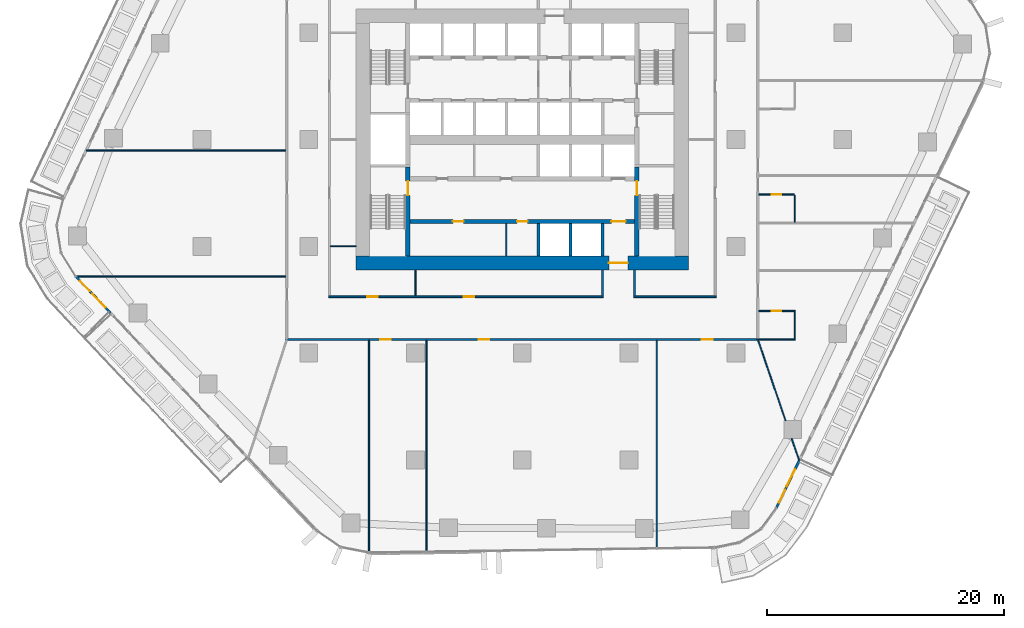
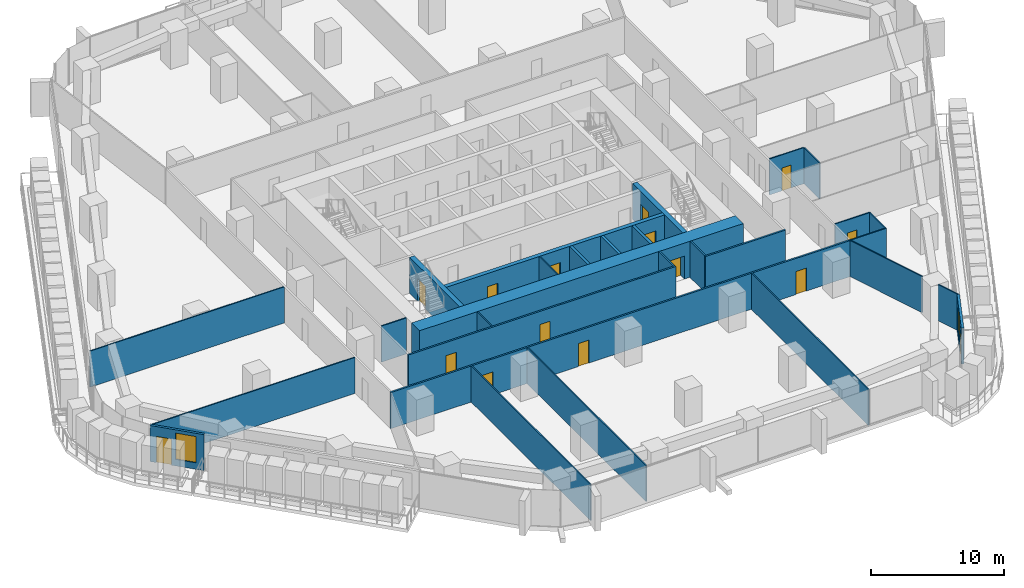
# One storey, part 12 of 24: 29 walls, 15 doors, 2 windows, 17 openings.
"""IFC4 building model written with IfcOpenShell, lengths in metres."""

from ifc_helpers import new_model, si_unit, direction, frame, frame_2d, origin, place, context, subcontext, project, spatial, rectangle, extrude, material, layer, layer_set, type_object, element, fill, save


model = new_model("IFC4")

# Units and contexts
model_context = context("Model", 3, precision=1e-05, world=origin(), true_north=direction((0.0, 1.0)))
body_context = subcontext(model_context, "Body", "Model", "MODEL_VIEW")
ifc_project = project(units=[si_unit("LENGTHUNIT", "METRE"), si_unit("AREAUNIT", "SQUARE_METRE"), si_unit("VOLUMEUNIT", "CUBIC_METRE"), si_unit("PLANEANGLEUNIT", "RADIAN"), si_unit("MASSUNIT", "GRAM", prefix="KILO")], contexts=[model_context])

# Site, building, storey
site_placement = place(None, origin())
site = spatial("IfcSite", under=ifc_project, at=site_placement, CompositionType="ELEMENT")
building_placement = place(site_placement, origin())
building = spatial("IfcBuilding", under=site, at=building_placement, Name="Dongbaek Canopy Tower", CompositionType="ELEMENT")
storey_placement = place(building_placement, frame((0.0, 0.0, 47.699951171875)))
storey = spatial("IfcBuildingStorey", under=building, at=storey_placement, Name="L07", CompositionType="ELEMENT", Elevation=47.699951171875)

# Wall, openings, doors
ifc_material_1 = material(Name="Concrete C60/75", Category="concrete")
ifc_layer_1 = layer(ifc_material_1, 0.35009765625)
ifc_layer_set_1 = layer_set([ifc_layer_1], Name="Core lobby wall 350 Concrete C60/75")
wall_type_1 = type_object("IfcWallType", Name="Core lobby wall 350 Concrete C60/75", PredefinedType="SHEAR", material=ifc_layer_set_1)
wall_1_placement = place(storey_placement, frame((9.449951171875, -6.89990234375, 0.0), z_axis=(0.0, 0.0, 1.0), x_axis=(-1.0, 0.0, 0.0)))
wall_1 = element("IfcWall", 1, at=wall_1_placement, inside=storey, type_object=wall_type_1, Name="Core wall", PredefinedType="SHEAR", context=body_context, shape_type="SweptSolid", body=[
    extrude(rectangle(XDim=18.89990234375, YDim=0.35009765625, at=frame_2d((9.449951171875, 0.0))), origin(), (0.0, 0.0, 1.0), 3.300048828125),
])
opening_1_placement = place(wall_1_placement, frame((0.75, 0.0, 0.0)))
opening_1 = element("IfcOpeningElement", 2, at=opening_1_placement, cuts=wall_1, Name="Opening L07-D045", PredefinedType="OPENING", context=body_context, shape_type="SweptSolid", body=[
    extrude(rectangle(XDim=1.199951171875, YDim=2.10009765625, at=frame_2d((0.60009765625, 1.050048828125))), frame((0.0, 0.18505859375, 0.0), z_axis=(0.0, -1.0, 0.0), x_axis=(1.0, 0.0, 0.0)), (0.0, 0.0, 1.0), 0.3701171875),
])
opening_2_placement = place(wall_1_placement, frame((14.39990234375, 0.0, 0.0)))
opening_2 = element("IfcOpeningElement", 3, at=opening_2_placement, cuts=wall_1, Name="Opening L07-D048", PredefinedType="OPENING", context=body_context, shape_type="SweptSolid", body=[
    extrude(rectangle(XDim=0.89990234375, YDim=2.10009765625, at=frame_2d((0.449951171875, 1.050048828125))), frame((0.0, 0.18505859375, 0.0), z_axis=(0.0, -1.0, 0.0), x_axis=(1.0, 0.0, 0.0)), (0.0, 0.0, 1.0), 0.3701171875),
])
opening_3_placement = place(wall_1_placement, frame((9.0, 0.0, 0.0)))
opening_3 = element("IfcOpeningElement", 4, at=opening_3_placement, cuts=wall_1, Name="Opening L07-D049", PredefinedType="OPENING", context=body_context, shape_type="SweptSolid", body=[
    extrude(rectangle(XDim=0.89990234375, YDim=2.10009765625, at=frame_2d((0.449951171875, 1.050048828125))), frame((0.0, 0.18505859375, 0.0), z_axis=(0.0, -1.0, 0.0), x_axis=(1.0, 0.0, 0.0)), (0.0, 0.0, 1.0), 0.3701171875),
])
ifc_material_2 = material(Name="Steel", Category="steel")
door_type_1 = type_object("IfcDoorType", Name="Core room door 900 x 2100", OperationType="SINGLE_SWING_LEFT", PredefinedType="DOOR", material=ifc_material_2)
door_1_placement = place(opening_2_placement, origin())
door_1 = element("IfcDoor", 5, at=door_1_placement, inside=storey, type_object=door_type_1, Name="Door L07-D048", OperationType="SINGLE_SWING_RIGHT", OverallHeight=2.10009765625, OverallWidth=0.89990234375, PredefinedType="DOOR", context=body_context, shape_type="SweptSolid", body=[
    extrude(rectangle(XDim=0.89990234375, YDim=2.10009765625, at=frame_2d((0.449951171875, 1.050048828125))), frame((0.0, 0.02490234375, 0.0), z_axis=(0.0, -1.0, 0.0), x_axis=(1.0, 0.0, 0.0)), (0.0, 0.0, 1.0), 0.050048828125),
])
fill(opening_2, door_1)
door_2_placement = place(opening_3_placement, origin())
door_2 = element("IfcDoor", 6, at=door_2_placement, inside=storey, type_object=door_type_1, Name="Door L07-D049", OperationType="SINGLE_SWING_LEFT", OverallHeight=2.10009765625, OverallWidth=0.89990234375, PredefinedType="DOOR", context=body_context, shape_type="SweptSolid", body=[
    extrude(rectangle(XDim=0.89990234375, YDim=2.10009765625, at=frame_2d((0.449951171875, 1.050048828125))), frame((0.0, 0.02490234375, 0.0), z_axis=(0.0, -1.0, 0.0), x_axis=(1.0, 0.0, 0.0)), (0.0, 0.0, 1.0), 0.050048828125),
])
fill(opening_3, door_2)
ifc_material_3 = material(Name="Steel", Category="steel")
door_type_2 = type_object("IfcDoorType", Name="Fire lobby door 1200 x 2100", OperationType="SINGLE_SWING_LEFT", PredefinedType="DOOR", material=ifc_material_3)
door_3_placement = place(opening_1_placement, origin())
door_3 = element("IfcDoor", 7, at=door_3_placement, inside=storey, type_object=door_type_2, Name="Door L07-D045", OperationType="SINGLE_SWING_LEFT", OverallHeight=2.10009765625, OverallWidth=1.199951171875, PredefinedType="DOOR", context=body_context, shape_type="SweptSolid", body=[
    extrude(rectangle(XDim=1.199951171875, YDim=2.10009765625, at=frame_2d((0.60009765625, 1.050048828125))), frame((0.0, 0.02490234375, 0.0), z_axis=(0.0, -1.0, 0.0), x_axis=(1.0, 0.0, 0.0)), (0.0, 0.0, 1.0), 0.050048828125),
])
fill(opening_1, door_3)

# Wall, opening, door
ifc_material_4 = material(Name="Concrete C60/75", Category="concrete")
ifc_layer_2 = layer(ifc_material_4, 1.199951171875)
ifc_layer_set_2 = layer_set([ifc_layer_2], Name="Core outer wall 1200 Concrete C60/75")
wall_type_2 = type_object("IfcWallType", Name="Core outer wall 1200 Concrete C60/75", PredefinedType="SHEAR", material=ifc_layer_set_2)
wall_2_placement = place(storey_placement, frame((14.0, -10.39990234375, 0.0), z_axis=(0.0, 0.0, 1.0), x_axis=(-1.0, 0.0, 0.0)))
wall_2 = element("IfcWall", 8, at=wall_2_placement, inside=storey, type_object=wall_type_2, Name="Core wall", PredefinedType="SHEAR", context=body_context, shape_type="SweptSolid", body=[
    extrude(rectangle(XDim=28.0, YDim=1.199951171875, at=frame_2d((14.0, 0.0))), origin(), (0.0, 0.0, 1.0), 3.300048828125),
])
opening_4_placement = place(wall_2_placement, frame((5.10009765625, 0.0, 0.0)))
opening_4 = element("IfcOpeningElement", 9, at=opening_4_placement, cuts=wall_2, Name="Opening L07-D044", PredefinedType="OPENING", context=body_context, shape_type="SweptSolid", body=[
    extrude(rectangle(XDim=1.60009765625, YDim=2.10009765625, at=frame_2d((0.800048828125, 1.050048828125))), frame((0.0, 0.60986328125, 0.0), z_axis=(0.0, -1.0, 0.0), x_axis=(1.0, 0.0, 0.0)), (0.0, 0.0, 1.0), 1.219970703125),
])
ifc_material_5 = material(Name="Steel", Category="steel")
door_type_3 = type_object("IfcDoorType", Name="Core exit door 1600 x 2100", OperationType="DOUBLE_DOOR_SINGLE_SWING", PredefinedType="DOOR", material=ifc_material_5)
door_4_placement = place(opening_4_placement, origin())
door_4 = element("IfcDoor", 10, at=door_4_placement, inside=storey, type_object=door_type_3, Name="Core exit door", OperationType="DOUBLE_DOOR_SINGLE_SWING", OverallHeight=2.10009765625, OverallWidth=1.60009765625, PredefinedType="DOOR", context=body_context, shape_type="SweptSolid", body=[
    extrude(rectangle(XDim=1.60009765625, YDim=2.10009765625, at=frame_2d((0.800048828125, 1.050048828125))), frame((0.0, 0.02490234375, 0.0), z_axis=(0.0, -1.0, 0.0), x_axis=(1.0, 0.0, 0.0)), (0.0, 0.0, 1.0), 0.050048828125),
])
fill(opening_4, door_4)

# Wall, openings, doors
ifc_material_6 = material(Name="Gypsum board partition, steel stud, 2 x 15 mm fire board", Category="steel")
ifc_layer_3 = layer(ifc_material_6, 0.14990234375)
ifc_layer_set_3 = layer_set([ifc_layer_3], Name="Fire-rated partition 150 gypsum board")
wall_type_3 = type_object("IfcWallType", Name="Fire-rated partition 150 gypsum board", PredefinedType="PARTITIONING", material=ifc_layer_set_3)
wall_3_placement = place(storey_placement, frame((19.925048828125, -16.85009765625, 0.0), z_axis=(0.0, 0.0, 1.0), x_axis=(-1.0, 0.0, 0.0)))
wall_3 = element("IfcWall", 11, at=wall_3_placement, inside=storey, type_object=wall_type_3, Name="Corridor partition", PredefinedType="PARTITIONING", context=body_context, shape_type="SweptSolid", body=[
    extrude(rectangle(XDim=39.85009765625, YDim=0.14990234375, at=frame_2d((19.925048828125, 0.0))), origin(), (0.0, 0.0, 1.0), 3.300048828125),
])
opening_5_placement = place(wall_3_placement, frame((31.00830078125, 0.0, 0.0)))
opening_5 = element("IfcOpeningElement", 12, at=opening_5_placement, cuts=wall_3, Name="Opening L07-D003", PredefinedType="OPENING", context=body_context, shape_type="SweptSolid", body=[
    extrude(rectangle(XDim=0.89990234375, YDim=2.10009765625, at=frame_2d((0.449951171875, 1.050048828125))), frame((0.0, 0.0849609375, 0.0), z_axis=(0.0, -1.0, 0.0), x_axis=(1.0, 0.0, 0.0)), (0.0, 0.0, 1.0), 0.169921875),
])
opening_6_placement = place(wall_3_placement, frame((22.7041015625, 0.0, 0.0)))
opening_6 = element("IfcOpeningElement", 13, at=opening_6_placement, cuts=wall_3, Name="Opening L07-D004", PredefinedType="OPENING", context=body_context, shape_type="SweptSolid", body=[
    extrude(rectangle(XDim=0.89990234375, YDim=2.10009765625, at=frame_2d((0.449951171875, 1.050048828125))), frame((0.0, 0.0849609375, 0.0), z_axis=(0.0, -1.0, 0.0), x_axis=(1.0, 0.0, 0.0)), (0.0, 0.0, 1.0), 0.169921875),
])
opening_7_placement = place(wall_3_placement, frame((3.8876953125, 0.0, 0.0)))
opening_7 = element("IfcOpeningElement", 14, at=opening_7_placement, cuts=wall_3, Name="Opening L07-D005", PredefinedType="OPENING", context=body_context, shape_type="SweptSolid", body=[
    extrude(rectangle(XDim=0.89990234375, YDim=2.10009765625, at=frame_2d((0.449951171875, 1.050048828125))), frame((0.0, 0.0849609375, 0.0), z_axis=(0.0, -1.0, 0.0), x_axis=(1.0, 0.0, 0.0)), (0.0, 0.0, 1.0), 0.169921875),
])
ifc_material_7 = material(Name="Timber veneered door leaf", Category="wood")
door_type_4 = type_object("IfcDoorType", Name="Room door 900 x 2100", OperationType="SINGLE_SWING_LEFT", PredefinedType="DOOR", material=ifc_material_7)
door_5_placement = place(opening_5_placement, origin())
door_5 = element("IfcDoor", 15, at=door_5_placement, inside=storey, type_object=door_type_4, Name="Door L07-D003", OperationType="SINGLE_SWING_LEFT", OverallHeight=2.10009765625, OverallWidth=0.89990234375, PredefinedType="DOOR", context=body_context, shape_type="SweptSolid", body=[
    extrude(rectangle(XDim=0.89990234375, YDim=2.10009765625, at=frame_2d((0.449951171875, 1.050048828125))), frame((0.0, 0.02490234375, 0.0), z_axis=(0.0, -1.0, 0.0), x_axis=(1.0, 0.0, 0.0)), (0.0, 0.0, 1.0), 0.050048828125),
])
fill(opening_5, door_5)
door_6_placement = place(opening_6_placement, origin())
door_6 = element("IfcDoor", 16, at=door_6_placement, inside=storey, type_object=door_type_4, Name="Door L07-D004", OperationType="SINGLE_SWING_RIGHT", OverallHeight=2.10009765625, OverallWidth=0.89990234375, PredefinedType="DOOR", context=body_context, shape_type="SweptSolid", body=[
    extrude(rectangle(XDim=0.89990234375, YDim=2.10009765625, at=frame_2d((0.449951171875, 1.050048828125))), frame((0.0, 0.02490234375, 0.0), z_axis=(0.0, -1.0, 0.0), x_axis=(1.0, 0.0, 0.0)), (0.0, 0.0, 1.0), 0.050048828125),
])
fill(opening_6, door_6)
door_7_placement = place(opening_7_placement, origin())
door_7 = element("IfcDoor", 17, at=door_7_placement, inside=storey, type_object=door_type_4, Name="Door L07-D005", OperationType="SINGLE_SWING_LEFT", OverallHeight=2.10009765625, OverallWidth=0.89990234375, PredefinedType="DOOR", context=body_context, shape_type="SweptSolid", body=[
    extrude(rectangle(XDim=0.89990234375, YDim=2.10009765625, at=frame_2d((0.449951171875, 1.050048828125))), frame((0.0, 0.02490234375, 0.0), z_axis=(0.0, -1.0, 0.0), x_axis=(1.0, 0.0, 0.0)), (0.0, 0.0, 1.0), 0.050048828125),
])
fill(opening_7, door_7)

wall_4_placement = place(storey_placement, frame((-16.324951171875, -13.25, 0.0), z_axis=(0.0, 0.0, 1.0), x_axis=(1.0, 0.0, 0.0)))
wall_4 = element("IfcWall", 18, at=wall_4_placement, inside=storey, type_object=wall_type_3, Name="Corridor partition", PredefinedType="PARTITIONING", context=body_context, shape_type="SweptSolid", body=[
    extrude(rectangle(XDim=23.14990234375, YDim=0.14990234375, at=frame_2d((11.574951171875, 0.0))), origin(), (0.0, 0.0, 1.0), 3.300048828125),
])
opening_8_placement = place(wall_4_placement, frame((3.25, 0.0, 0.0)))
opening_8 = element("IfcOpeningElement", 19, at=opening_8_placement, cuts=wall_4, Name="Opening L07-D019", PredefinedType="OPENING", context=body_context, shape_type="SweptSolid", body=[
    extrude(rectangle(XDim=0.89990234375, YDim=2.10009765625, at=frame_2d((0.449951171875, 1.050048828125))), frame((0.0, 0.0849609375, 0.0), z_axis=(0.0, -1.0, 0.0), x_axis=(1.0, 0.0, 0.0)), (0.0, 0.0, 1.0), 0.169921875),
])
opening_9_placement = place(wall_4_placement, frame((11.375, 0.0, 0.0)))
opening_9 = element("IfcOpeningElement", 20, at=opening_9_placement, cuts=wall_4, Name="Opening L07-D020", PredefinedType="OPENING", context=body_context, shape_type="SweptSolid", body=[
    extrude(rectangle(XDim=0.89990234375, YDim=2.10009765625, at=frame_2d((0.449951171875, 1.050048828125))), frame((0.0, 0.0849609375, 0.0), z_axis=(0.0, -1.0, 0.0), x_axis=(1.0, 0.0, 0.0)), (0.0, 0.0, 1.0), 0.169921875),
])
door_8_placement = place(opening_8_placement, origin())
door_8 = element("IfcDoor", 21, at=door_8_placement, inside=storey, type_object=door_type_4, Name="Door L07-D019", OperationType="SINGLE_SWING_LEFT", OverallHeight=2.10009765625, OverallWidth=0.89990234375, PredefinedType="DOOR", context=body_context, shape_type="SweptSolid", body=[
    extrude(rectangle(XDim=0.89990234375, YDim=2.10009765625, at=frame_2d((0.449951171875, 1.050048828125))), frame((0.0, 0.02490234375, 0.0), z_axis=(0.0, -1.0, 0.0), x_axis=(1.0, 0.0, 0.0)), (0.0, 0.0, 1.0), 0.050048828125),
])
fill(opening_8, door_8)
door_9_placement = place(opening_9_placement, origin())
door_9 = element("IfcDoor", 22, at=door_9_placement, inside=storey, type_object=door_type_4, Name="Door L07-D020", OperationType="SINGLE_SWING_RIGHT", OverallHeight=2.10009765625, OverallWidth=0.89990234375, PredefinedType="DOOR", context=body_context, shape_type="SweptSolid", body=[
    extrude(rectangle(XDim=0.89990234375, YDim=2.10009765625, at=frame_2d((0.449951171875, 1.050048828125))), frame((0.0, 0.02490234375, 0.0), z_axis=(0.0, -1.0, 0.0), x_axis=(1.0, 0.0, 0.0)), (0.0, 0.0, 1.0), 0.050048828125),
])
fill(opening_9, door_9)

# Walls
wall_5_placement = place(storey_placement, frame((9.375, -13.25, 0.0), z_axis=(0.0, 0.0, 1.0), x_axis=(1.0, 0.0, 0.0)))
element("IfcWall", 23, at=wall_5_placement, inside=storey, type_object=wall_type_3, Name="Corridor partition", PredefinedType="PARTITIONING", context=body_context, shape_type="SweptSolid", body=[
    extrude(rectangle(XDim=6.949951171875, YDim=0.14990234375, at=frame_2d((3.47509765625, 0.0))), origin(), (0.0, 0.0, 1.0), 3.300048828125),
])
for number, where, z_axis, x_axis, name in (
    (24, (9.449951171875, -13.175048828125, 0.0), (0.0, 0.0, 1.0), (0.0, 1.0, 0.0), "Corridor partition"),
    (25, (6.75, -13.175048828125, 0.0), (0.0, 0.0, 1.0), (0.0, 1.0, 0.0), "Corridor partition"),
):
    element("IfcWall", number, at=place(storey_placement, frame(where, z_axis=z_axis, x_axis=x_axis)), inside=storey, type_object=wall_type_3, Name=name, PredefinedType="PARTITIONING", context=body_context, shape_type="SweptSolid", body=[
        extrude(rectangle(XDim=2.175048828125, YDim=0.14990234375, at=frame_2d((1.08740234375, 0.0))), origin(), (0.0, 0.0, 1.0), 3.300048828125),
    ])
ifc_material_8 = material(Name="Concrete C40/50", Category="concrete")
ifc_layer_4 = layer(ifc_material_8, 0.25)
ifc_layer_set_4 = layer_set([ifc_layer_4], Name="Lift shaft wall 250 Concrete C40/50")
wall_type_4 = type_object("IfcWallType", Name="Lift shaft wall 250 Concrete C40/50", PredefinedType="SOLIDWALL", material=ifc_layer_set_4)
for number, where, z_axis, x_axis, name in (
    (26, (6.75, -9.800048828125, 0.0), (0.0, 0.0, 1.0), (0.0, 1.0, 0.0), "Lift shaft wall"),
    (27, (4.050048828125, -9.800048828125, 0.0), (0.0, 0.0, 1.0), (0.0, 1.0, 0.0), "Lift shaft wall"),
    (28, (1.35009765625, -9.800048828125, 0.0), (0.0, 0.0, 1.0), (0.0, 1.0, 0.0), "Lift shaft wall"),
):
    element("IfcWall", number, at=place(storey_placement, frame(where, z_axis=z_axis, x_axis=x_axis)), inside=storey, type_object=wall_type_4, Name=name, PredefinedType="SOLIDWALL", context=body_context, shape_type="SweptSolid", body=[
        extrude(rectangle(XDim=2.72509765625, YDim=0.25, at=frame_2d((1.362548828125, 0.0))), origin(), (0.0, 0.0, 1.0), 3.300048828125),
    ])
ifc_material_9 = material(Name="Gypsum board partition, steel stud, 2 x 12.5 mm board", Category="steel")
ifc_layer_5 = layer(ifc_material_9, 0.10009765625)
ifc_layer_set_5 = layer_set([ifc_layer_5], Name="Partition 100 gypsum board")
wall_type_5 = type_object("IfcWallType", Name="Partition 100 gypsum board", PredefinedType="PARTITIONING", material=ifc_layer_set_5)
wall_6_placement = place(storey_placement, frame((19.77490234375, -16.85009765625, 0.0), z_axis=(0.0, 0.0, 1.0), x_axis=(1.0, 0.0, 0.0)))
element("IfcWall", 29, at=wall_6_placement, inside=storey, type_object=wall_type_5, Name="Partition", PredefinedType="PARTITIONING", context=body_context, shape_type="SweptSolid", body=[
    extrude(rectangle(XDim=3.22509765625, YDim=0.10009765625, at=frame_2d((1.612548828125, 0.0))), origin(), (0.0, 0.0, 1.0), 3.300048828125),
])

# Wall, opening, door
wall_7_placement = place(storey_placement, frame((23.0, -14.449951171875, 0.0), z_axis=(0.0, 0.0, 1.0), x_axis=(-1.0, 0.0, 0.0)))
wall_7 = element("IfcWall", 30, at=wall_7_placement, inside=storey, type_object=wall_type_5, Name="Partition", PredefinedType="PARTITIONING", context=body_context, shape_type="SweptSolid", body=[
    extrude(rectangle(XDim=3.074951171875, YDim=0.10009765625, at=frame_2d((1.53759765625, 0.0))), origin(), (0.0, 0.0, 1.0), 3.300048828125),
])
opening_10_placement = place(wall_7_placement, frame((1.199951171875, 0.0, 0.0)))
opening_10 = element("IfcOpeningElement", 31, at=opening_10_placement, cuts=wall_7, Name="Opening L07-D006", PredefinedType="OPENING", context=body_context, shape_type="SweptSolid", body=[
    extrude(rectangle(XDim=0.800048828125, YDim=2.10009765625, at=frame_2d((0.39990234375, 1.050048828125))), frame((0.0, 0.06005859375, 0.0), z_axis=(0.0, -1.0, 0.0), x_axis=(1.0, 0.0, 0.0)), (0.0, 0.0, 1.0), 0.1201171875),
])
ifc_material_10 = material(Name="Timber veneered door leaf", Category="wood")
door_type_5 = type_object("IfcDoorType", Name="En-suite door 800 x 2100", OperationType="SINGLE_SWING_LEFT", PredefinedType="DOOR", material=ifc_material_10)
door_10_placement = place(opening_10_placement, origin())
door_10 = element("IfcDoor", 32, at=door_10_placement, inside=storey, type_object=door_type_5, Name="Door L07-D006", OperationType="SINGLE_SWING_LEFT", OverallHeight=2.10009765625, OverallWidth=0.800048828125, PredefinedType="DOOR", context=body_context, shape_type="SweptSolid", body=[
    extrude(rectangle(XDim=0.800048828125, YDim=2.10009765625, at=frame_2d((0.39990234375, 1.050048828125))), frame((0.0, 0.02490234375, 0.0), z_axis=(0.0, -1.0, 0.0), x_axis=(1.0, 0.0, 0.0)), (0.0, 0.0, 1.0), 0.050048828125),
])
fill(opening_10, door_10)

# Walls
wall_8_placement = place(storey_placement, frame((-37.593505859375, -11.54296875, 0.0), z_axis=(0.0, 0.0, 1.0), x_axis=(1.0, 0.0, 0.0)))
element("IfcWall", 33, at=wall_8_placement, inside=storey, type_object=wall_type_5, Name="Partition", PredefinedType="PARTITIONING", context=body_context, shape_type="SweptSolid", body=[
    extrude(rectangle(XDim=17.66845703125, YDim=0.10009765625, at=frame_2d((8.834228515625, 0.0))), origin(), (0.0, 0.0, 1.0), 3.300048828125),
])
wall_9_placement = place(storey_placement, frame((-16.175048828125, -9.0, 0.0), z_axis=(0.0, 0.0, 1.0), x_axis=(1.0, 0.0, 0.0)))
element("IfcWall", 34, at=wall_9_placement, inside=storey, type_object=wall_type_5, Name="Partition", PredefinedType="PARTITIONING", context=body_context, shape_type="SweptSolid", body=[
    extrude(rectangle(XDim=2.175048828125, YDim=0.10009765625, at=frame_2d((1.08740234375, 0.0))), origin(), (0.0, 0.0, 1.0), 3.300048828125),
])

# Wall, opening, door
wall_10_placement = place(storey_placement, frame((22.89990234375, -4.6279296875, 0.0), z_axis=(0.0, 0.0, 1.0), x_axis=(-1.0, 0.0, 0.0)))
wall_10 = element("IfcWall", 35, at=wall_10_placement, inside=storey, type_object=wall_type_5, Name="Partition", PredefinedType="PARTITIONING", context=body_context, shape_type="SweptSolid", body=[
    extrude(rectangle(XDim=2.974853515625, YDim=0.10009765625, at=frame_2d((1.4873046875, 0.0))), origin(), (0.0, 0.0, 1.0), 3.300048828125),
])
opening_11_placement = place(wall_10_placement, frame((1.10009765625, 0.0, 0.0)))
opening_11 = element("IfcOpeningElement", 36, at=opening_11_placement, cuts=wall_10, Name="Opening L07-D008", PredefinedType="OPENING", context=body_context, shape_type="SweptSolid", body=[
    extrude(rectangle(XDim=0.800048828125, YDim=2.10009765625, at=frame_2d((0.39990234375, 1.050048828125))), frame((0.0, 0.06005859375, 0.0), z_axis=(0.0, -1.0, 0.0), x_axis=(1.0, 0.0, 0.0)), (0.0, 0.0, 1.0), 0.1201171875),
])
door_11_placement = place(opening_11_placement, origin())
door_11 = element("IfcDoor", 37, at=door_11_placement, inside=storey, type_object=door_type_5, Name="Door L07-D008", OperationType="SINGLE_SWING_LEFT", OverallHeight=2.10009765625, OverallWidth=0.800048828125, PredefinedType="DOOR", context=body_context, shape_type="SweptSolid", body=[
    extrude(rectangle(XDim=0.800048828125, YDim=2.10009765625, at=frame_2d((0.39990234375, 1.050048828125))), frame((0.0, 0.02490234375, 0.0), z_axis=(0.0, -1.0, 0.0), x_axis=(1.0, 0.0, 0.0)), (0.0, 0.0, 1.0), 0.050048828125),
])
fill(opening_11, door_11)

# Walls
wall_11_placement = place(storey_placement, frame((-36.73681640625, -0.9169921875, 0.0), z_axis=(0.0, 0.0, 1.0), x_axis=(1.0, 0.0, 0.0)))
element("IfcWall", 38, at=wall_11_placement, inside=storey, type_object=wall_type_5, Name="Partition", PredefinedType="PARTITIONING", context=body_context, shape_type="SweptSolid", body=[
    extrude(rectangle(XDim=16.811767578125, YDim=0.10009765625, at=frame_2d((8.40576171875, 0.0))), origin(), (0.0, 0.0, 1.0), 3.300048828125),
])
for number, where, z_axis, x_axis, name in (
    (39, (22.949951171875, -16.800048828125, 0.0), (0.0, 0.0, 1.0), (0.0, 1.0, 0.0), "Partition"),
    (40, (22.949951171875, -6.977783203125, 0.0), (0.0, 0.0, 1.0), (0.0, 1.0, 0.0), "Partition"),
):
    element("IfcWall", number, at=place(storey_placement, frame(where, z_axis=z_axis, x_axis=x_axis)), inside=storey, type_object=wall_type_5, Name=name, PredefinedType="PARTITIONING", context=body_context, shape_type="SweptSolid", body=[
        extrude(rectangle(XDim=2.300048828125, YDim=0.10009765625, at=frame_2d((1.14990234375, 0.0))), origin(), (0.0, 0.0, 1.0), 3.300048828125),
    ])
wall_12_placement = place(storey_placement, frame((11.324951171875, -34.438232421875, 0.0), z_axis=(0.0, 0.0, 1.0), x_axis=(0.0, 1.0, 0.0)))
element("IfcWall", 41, at=wall_12_placement, inside=storey, type_object=wall_type_5, Name="Partition", PredefinedType="PARTITIONING", context=body_context, shape_type="SweptSolid", body=[
    extrude(rectangle(XDim=17.51318359375, YDim=0.10009765625, at=frame_2d((8.756591796875, 0.0))), origin(), (0.0, 0.0, 1.0), 3.300048828125),
])
wall_13_placement = place(storey_placement, frame((-8.0810546875, -34.721923828125, 0.0), z_axis=(0.0, 0.0, 1.0), x_axis=(0.0, 1.0, 0.0)))
element("IfcWall", 42, at=wall_13_placement, inside=storey, type_object=wall_type_5, Name="Partition", PredefinedType="PARTITIONING", context=body_context, shape_type="SweptSolid", body=[
    extrude(rectangle(XDim=17.796875, YDim=0.10009765625, at=frame_2d((8.8984375, 0.0))), origin(), (0.0, 0.0, 1.0), 3.300048828125),
])
wall_14_placement = place(storey_placement, frame((-9.0, -13.175048828125, 0.0), z_axis=(0.0, 0.0, 1.0), x_axis=(0.0, 1.0, 0.0)))
element("IfcWall", 43, at=wall_14_placement, inside=storey, type_object=wall_type_5, Name="Partition", PredefinedType="PARTITIONING", context=body_context, shape_type="SweptSolid", body=[
    extrude(rectangle(XDim=2.175048828125, YDim=0.10009765625, at=frame_2d((1.08740234375, 0.0))), origin(), (0.0, 0.0, 1.0), 3.300048828125),
])
wall_15_placement = place(storey_placement, frame((-12.9208984375, -34.79248046875, 0.0), z_axis=(0.0, 0.0, 1.0), x_axis=(0.0, 1.0, 0.0)))
element("IfcWall", 44, at=wall_15_placement, inside=storey, type_object=wall_type_5, Name="Partition", PredefinedType="PARTITIONING", context=body_context, shape_type="SweptSolid", body=[
    extrude(rectangle(XDim=17.867431640625, YDim=0.10009765625, at=frame_2d((8.93359375, 0.0))), origin(), (0.0, 0.0, 1.0), 3.300048828125),
])
wall_16_placement = place(storey_placement, frame((19.849609375, -16.85009765625, 0.0), z_axis=(0.0, 0.0, 1.0), x_axis=(0.323389409091, -0.94626597217, 0.0)))
element("IfcWall", 45, at=wall_16_placement, inside=storey, type_object=wall_type_5, Name="Partition", PredefinedType="PARTITIONING", context=body_context, shape_type="SweptSolid", body=[
    extrude(rectangle(XDim=7.231689453125, YDim=0.10009765625, at=frame_2d((3.61572265625, 0.0))), origin(), (0.0, 0.0, 1.0), 3.300048828125),
])
wall_17_placement = place(storey_placement, frame((22.700927734375, -25.193115234375, 0.0), z_axis=(0.0, 0.0, 1.0), x_axis=(0.323521274284, -0.94622089656, 0.0)))
element("IfcWall", 46, at=wall_17_placement, inside=storey, type_object=wall_type_5, Name="Partition", PredefinedType="PARTITIONING", context=body_context, shape_type="SweptSolid", body=[
    extrude(rectangle(XDim=1.935546875, YDim=0.10009765625, at=frame_2d((0.9677734375, 0.0))), origin(), (0.0, 0.0, 1.0), 3.300048828125),
])
wall_18_placement = place(storey_placement, frame((-1.35009765625, -9.800048828125, 0.0), z_axis=(0.0, 0.0, 1.0), x_axis=(0.0, 1.0, 0.0)))
element("IfcWall", 47, at=wall_18_placement, inside=storey, type_object=wall_type_5, Name="Core partition", PredefinedType="PARTITIONING", context=body_context, shape_type="SweptSolid", body=[
    extrude(rectangle(XDim=2.72509765625, YDim=0.10009765625, at=frame_2d((1.362548828125, 0.0))), origin(), (0.0, 0.0, 1.0), 3.300048828125),
])

# Wall, opening, door
ifc_material_11 = material(Name="Concrete C60/75", Category="concrete")
ifc_layer_6 = layer(ifc_material_11, 0.39990234375)
ifc_layer_set_6 = layer_set([ifc_layer_6], Name="Stair wall 400 Concrete C60/75")
wall_type_6 = type_object("IfcWallType", Name="Stair wall 400 Concrete C60/75", PredefinedType="SHEAR", material=ifc_layer_set_6)
wall_19_placement = place(storey_placement, frame((9.64990234375, -2.300048828125, 0.0), z_axis=(0.0, 0.0, 1.0), x_axis=(0.0, -1.0, 0.0)))
wall_19 = element("IfcWall", 48, at=wall_19_placement, inside=storey, type_object=wall_type_6, Name="Stair wall", PredefinedType="SHEAR", context=body_context, shape_type="SweptSolid", body=[
    extrude(rectangle(XDim=7.5, YDim=0.39990234375, at=frame_2d((3.75, 0.0))), origin(), (0.0, 0.0, 1.0), 3.300048828125),
])
opening_12_placement = place(wall_19_placement, frame((1.199951171875, 0.0, 0.0)))
opening_12 = element("IfcOpeningElement", 49, at=opening_12_placement, cuts=wall_19, Name="Opening L07-D052", PredefinedType="OPENING", context=body_context, shape_type="SweptSolid", body=[
    extrude(rectangle(XDim=1.199951171875, YDim=2.10009765625, at=frame_2d((0.60009765625, 1.050048828125))), frame((0.0, 0.2099609375, 0.0), z_axis=(0.0, -1.0, 0.0), x_axis=(1.0, 0.0, 0.0)), (0.0, 0.0, 1.0), 0.419921875),
])
ifc_material_12 = material(Name="Steel", Category="steel")
door_type_6 = type_object("IfcDoorType", Name="Stair door 1200 x 2100", OperationType="SINGLE_SWING_LEFT", PredefinedType="DOOR", material=ifc_material_12)
door_12_placement = place(opening_12_placement, origin())
door_12 = element("IfcDoor", 50, at=door_12_placement, inside=storey, type_object=door_type_6, Name="Stair B door", OperationType="SINGLE_SWING_RIGHT", OverallHeight=2.10009765625, OverallWidth=1.199951171875, PredefinedType="DOOR", context=body_context, shape_type="SweptSolid", body=[
    extrude(rectangle(XDim=1.199951171875, YDim=2.10009765625, at=frame_2d((0.60009765625, 1.050048828125))), frame((0.0, 0.02490234375, 0.0), z_axis=(0.0, -1.0, 0.0), x_axis=(1.0, 0.0, 0.0)), (0.0, 0.0, 1.0), 0.050048828125),
])
fill(opening_12, door_12)

wall_20_placement = place(storey_placement, frame((-9.64990234375, -9.800048828125, 0.0), z_axis=(0.0, 0.0, 1.0), x_axis=(0.0, 1.0, 0.0)))
wall_20 = element("IfcWall", 51, at=wall_20_placement, inside=storey, type_object=wall_type_6, Name="Stair wall", PredefinedType="SHEAR", context=body_context, shape_type="SweptSolid", body=[
    extrude(rectangle(XDim=7.5, YDim=0.39990234375, at=frame_2d((3.75, 0.0))), origin(), (0.0, 0.0, 1.0), 3.300048828125),
])
opening_13_placement = place(wall_20_placement, frame((5.10009765625, 0.0, 0.0)))
opening_13 = element("IfcOpeningElement", 52, at=opening_13_placement, cuts=wall_20, Name="Opening L07-D053", PredefinedType="OPENING", context=body_context, shape_type="SweptSolid", body=[
    extrude(rectangle(XDim=1.199951171875, YDim=2.10009765625, at=frame_2d((0.60009765625, 1.050048828125))), frame((0.0, 0.2099609375, 0.0), z_axis=(0.0, -1.0, 0.0), x_axis=(1.0, 0.0, 0.0)), (0.0, 0.0, 1.0), 0.419921875),
])
door_13_placement = place(opening_13_placement, origin())
door_13 = element("IfcDoor", 53, at=door_13_placement, inside=storey, type_object=door_type_6, Name="Stair D door", OperationType="SINGLE_SWING_LEFT", OverallHeight=2.10009765625, OverallWidth=1.199951171875, PredefinedType="DOOR", context=body_context, shape_type="SweptSolid", body=[
    extrude(rectangle(XDim=1.199951171875, YDim=2.10009765625, at=frame_2d((0.60009765625, 1.050048828125))), frame((0.0, 0.02490234375, 0.0), z_axis=(0.0, -1.0, 0.0), x_axis=(1.0, 0.0, 0.0)), (0.0, 0.0, 1.0), 0.050048828125),
])
fill(opening_13, door_13)

# Wall, openings, door, window
ifc_material_13 = material(Name="Aluminium window wall", Category="aluminium")
ifc_layer_7 = layer(ifc_material_13, 0.199951171875)
ifc_layer_set_7 = layer_set([ifc_layer_7], Name="Window wall 200")
wall_type_7 = type_object("IfcWallType", Name="Window wall 200", PredefinedType="SOLIDWALL", material=ifc_layer_set_7)
wall_21_placement = place(storey_placement, frame((-37.62109375, -11.54296875, 0.0), z_axis=(0.0, 0.0, 1.0), x_axis=(0.688100005166, -0.725615864553, 0.0)))
wall_21 = element("IfcWall", 54, at=wall_21_placement, inside=storey, type_object=wall_type_7, Name="Window wall L07 6", PredefinedType="SOLIDWALL", context=body_context, shape_type="SweptSolid", body=[
    extrude(rectangle(XDim=4.21044921875, YDim=0.199951171875, at=frame_2d((2.105224609375, 0.0))), origin(), (0.0, 0.0, 1.0), 3.300048828125),
])
opening_14_placement = place(wall_21_placement, frame((2.0, 0.0, 0.60009765625)))
opening_14 = element("IfcOpeningElement", 55, at=opening_14_placement, cuts=wall_21, Name="Opening W1", PredefinedType="OPENING", context=body_context, shape_type="SweptSolid", body=[
    extrude(rectangle(XDim=1.60009765625, YDim=2.39990234375, at=frame_2d((0.800048828125, 1.199951171875))), frame((0.0, 0.10986328125, 0.0), z_axis=(0.0, -1.0, 0.0), x_axis=(1.0, 0.0, 0.0)), (0.0, 0.0, 1.0), 0.219970703125),
])
opening_15_placement = place(wall_21_placement, frame((0.5, 0.0, 0.0)))
opening_15 = element("IfcOpeningElement", 56, at=opening_15_placement, cuts=wall_21, Name="Opening L07-B17", PredefinedType="OPENING", context=body_context, shape_type="SweptSolid", body=[
    extrude(rectangle(XDim=1.199951171875, YDim=2.39990234375, at=frame_2d((0.60009765625, 1.199951171875))), frame((0.0, 0.10986328125, 0.0), z_axis=(0.0, -1.0, 0.0), x_axis=(1.0, 0.0, 0.0)), (0.0, 0.0, 1.0), 0.219970703125),
])
ifc_material_14 = material(Name="Clear glazing in aluminium frame", Category="aluminium")
door_type_7 = type_object("IfcDoorType", Name="Balcony door BD1 1200 x 2400", OperationType="SLIDING_TO_LEFT", PredefinedType="DOOR", material=ifc_material_14)
door_14_placement = place(opening_15_placement, origin())
door_14 = element("IfcDoor", 57, at=door_14_placement, inside=storey, type_object=door_type_7, Name="Balcony door L07-B17", OperationType="SLIDING_TO_LEFT", OverallHeight=2.39990234375, OverallWidth=1.199951171875, PredefinedType="DOOR", context=body_context, shape_type="SweptSolid", body=[
    extrude(rectangle(XDim=1.199951171875, YDim=2.39990234375, at=frame_2d((0.60009765625, 1.199951171875))), frame((0.0, 0.02490234375, 0.0), z_axis=(0.0, -1.0, 0.0), x_axis=(1.0, 0.0, 0.0)), (0.0, 0.0, 1.0), 0.050048828125),
])
fill(opening_15, door_14)
ifc_material_15 = material(Name="Clear glazing in aluminium frame", Category="aluminium")
window_type = type_object("IfcWindowType", Name="Window W1 1600 x 2400", PartitioningType="SINGLE_PANEL", PredefinedType="WINDOW", material=ifc_material_15)
window_1_placement = place(opening_14_placement, origin())
window_1 = element("IfcWindow", 58, at=window_1_placement, inside=storey, type_object=window_type, Name="Window L07 6.1", OverallHeight=2.39990234375, OverallWidth=1.60009765625, PartitioningType="SINGLE_PANEL", PredefinedType="WINDOW", context=body_context, shape_type="SweptSolid", body=[
    extrude(rectangle(XDim=1.60009765625, YDim=2.39990234375, at=frame_2d((0.800048828125, 1.199951171875))), frame((0.0, 0.030029296875, 0.0), z_axis=(0.0, -1.0, 0.0), x_axis=(1.0, 0.0, 0.0)), (0.0, 0.0, 1.0), 0.06005859375),
])
fill(opening_14, window_1)

wall_22_placement = place(storey_placement, frame((21.40576171875, -31.047607421875, 0.0), z_axis=(0.0, 0.0, 1.0), x_axis=(0.435227364278, 0.900320577008, 0.0)))
wall_22 = element("IfcWall", 59, at=wall_22_placement, inside=storey, type_object=wall_type_7, Name="Window wall L07 7", PredefinedType="SOLIDWALL", context=body_context, shape_type="SweptSolid", body=[
    extrude(rectangle(XDim=4.438720703125, YDim=0.199951171875, at=frame_2d((2.21923828125, 0.0))), origin(), (0.0, 0.0, 1.0), 3.300048828125),
])
opening_16_placement = place(wall_22_placement, frame((2.0, 0.0, 0.60009765625)))
opening_16 = element("IfcOpeningElement", 60, at=opening_16_placement, cuts=wall_22, Name="Opening W1", PredefinedType="OPENING", context=body_context, shape_type="SweptSolid", body=[
    extrude(rectangle(XDim=1.60009765625, YDim=2.39990234375, at=frame_2d((0.800048828125, 1.199951171875))), frame((0.0, 0.10986328125, 0.0), z_axis=(0.0, -1.0, 0.0), x_axis=(1.0, 0.0, 0.0)), (0.0, 0.0, 1.0), 0.219970703125),
])
opening_17_placement = place(wall_22_placement, frame((0.5, 0.0, 0.0)))
opening_17 = element("IfcOpeningElement", 61, at=opening_17_placement, cuts=wall_22, Name="Opening L07-B24", PredefinedType="OPENING", context=body_context, shape_type="SweptSolid", body=[
    extrude(rectangle(XDim=1.199951171875, YDim=2.39990234375, at=frame_2d((0.60009765625, 1.199951171875))), frame((0.0, 0.10986328125, 0.0), z_axis=(0.0, -1.0, 0.0), x_axis=(1.0, 0.0, 0.0)), (0.0, 0.0, 1.0), 0.219970703125),
])
door_15_placement = place(opening_17_placement, origin())
door_15 = element("IfcDoor", 62, at=door_15_placement, inside=storey, type_object=door_type_7, Name="Balcony door L07-B24", OperationType="SLIDING_TO_LEFT", OverallHeight=2.39990234375, OverallWidth=1.199951171875, PredefinedType="DOOR", context=body_context, shape_type="SweptSolid", body=[
    extrude(rectangle(XDim=1.199951171875, YDim=2.39990234375, at=frame_2d((0.60009765625, 1.199951171875))), frame((0.0, 0.02490234375, 0.0), z_axis=(0.0, -1.0, 0.0), x_axis=(1.0, 0.0, 0.0)), (0.0, 0.0, 1.0), 0.050048828125),
])
fill(opening_17, door_15)
window_2_placement = place(opening_16_placement, origin())
window_2 = element("IfcWindow", 63, at=window_2_placement, inside=storey, type_object=window_type, Name="Window L07 7.1", OverallHeight=2.39990234375, OverallWidth=1.60009765625, PartitioningType="SINGLE_PANEL", PredefinedType="WINDOW", context=body_context, shape_type="SweptSolid", body=[
    extrude(rectangle(XDim=1.60009765625, YDim=2.39990234375, at=frame_2d((0.800048828125, 1.199951171875))), frame((0.0, 0.030029296875, 0.0), z_axis=(0.0, -1.0, 0.0), x_axis=(1.0, 0.0, 0.0)), (0.0, 0.0, 1.0), 0.06005859375),
])
fill(opening_16, window_2)

save(model, "model.ifc")
